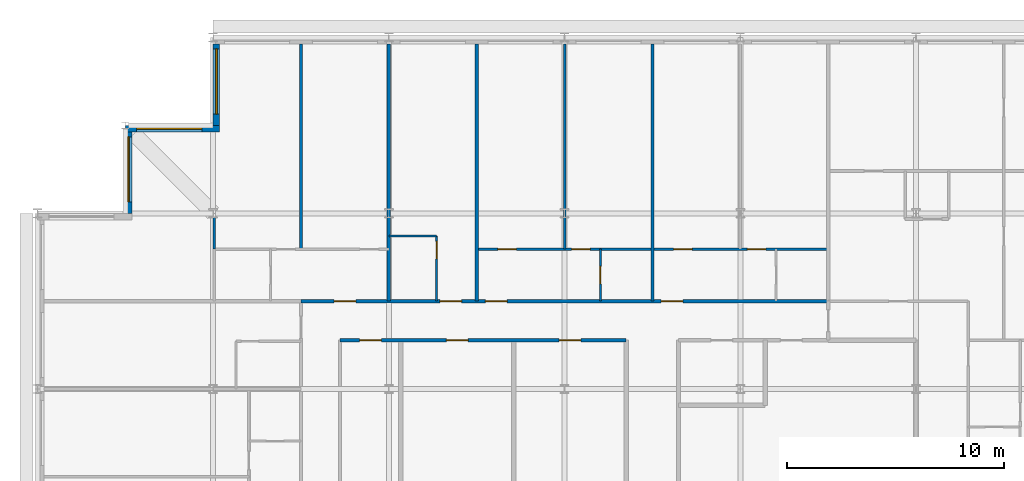
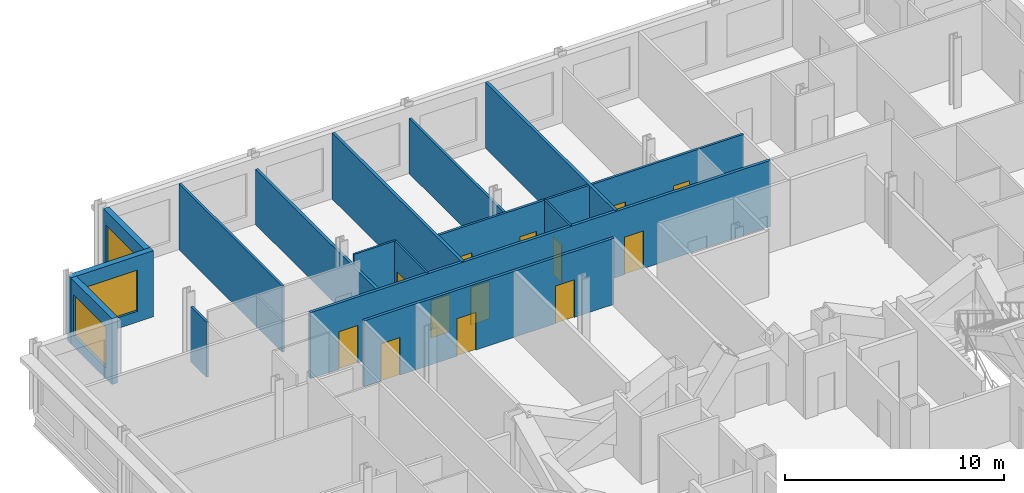
# One storey, part 12 of 15: 15 walls, 13 doors, 3 windows, 16 openings.
"""IFC4 building model written with IfcOpenShell, lengths in metres."""

from ifc_helpers import new_model, si_unit, direction, frame, frame_2d, origin, place, context, subcontext, project, spatial, rectangle, extrude, material, layer, layer_set, type_object, element, fill, save


model = new_model("IFC4")

# Units and contexts
model_context = context("Model", 3, precision=1e-05, world=origin(), true_north=direction((0.0, 1.0)))
body_context = subcontext(model_context, "Body", "Model", "MODEL_VIEW")
ifc_project = project(units=[si_unit("LENGTHUNIT", "METRE"), si_unit("AREAUNIT", "SQUARE_METRE"), si_unit("VOLUMEUNIT", "CUBIC_METRE"), si_unit("PLANEANGLEUNIT", "RADIAN"), si_unit("MASSUNIT", "GRAM", prefix="KILO")], contexts=[model_context])

# Site, building, storey
site_placement = place(None, origin())
site = spatial("IfcSite", under=ifc_project, at=site_placement, CompositionType="ELEMENT")
building_placement = place(site_placement, origin())
building = spatial("IfcBuilding", under=site, at=building_placement, Name="Kopane Lantern Tower", CompositionType="ELEMENT")
storey_placement = place(building_placement, frame((0.0, 0.0, 269.699951171875)))
storey = spatial("IfcBuildingStorey", under=building, at=storey_placement, Name="L69", CompositionType="ELEMENT", Elevation=269.699951171875)

# Wall, openings, doors
ifc_material_1 = material(Name="Gypsum board on steel studs", Category="steel")
ifc_layer_1 = layer(ifc_material_1, 0.1201171875)
ifc_layer_set_1 = layer_set([ifc_layer_1], Name="APARTMENT INTERNAL WALL 120")
wall_type_1 = type_object("IfcWallType", Name="APARTMENT INTERNAL WALL 120", PredefinedType="PARTITIONING", material=ifc_layer_set_1)
wall_1_placement = place(storey_placement, frame((20.25, 55.050048828125, 0.0), z_axis=(0.0, 0.0, 1.0), x_axis=(1.0, 0.0, 0.0)))
wall_1 = element("IfcWall", 1, at=wall_1_placement, inside=storey, type_object=wall_type_1, Name="Apartment Internal Wall 120 L69", PredefinedType="PARTITIONING", context=body_context, shape_type="SweptSolid", body=[
    extrude(rectangle(XDim=16.199951171875, YDim=0.1201171875, at=frame_2d((8.10009765625, 0.0))), origin(), (0.0, 0.0, 1.0), 3.68994140625),
])
opening_1_placement = place(wall_1_placement, frame((0.97509765625, 0.0, 0.0)))
opening_1 = element("IfcOpeningElement", 2, at=opening_1_placement, cuts=wall_1, Name="Opening L69-020", PredefinedType="OPENING", context=body_context, shape_type="SweptSolid", body=[
    extrude(rectangle(XDim=0.85009765625, YDim=2.10009765625, at=frame_2d((0.425048828125, 1.050048828125))), frame((0.0, 0.070068359375, 0.0), z_axis=(0.0, -1.0, 0.0), x_axis=(1.0, 0.0, 0.0)), (0.0, 0.0, 1.0), 0.14013671875),
])
opening_2_placement = place(wall_1_placement, frame((4.375, 0.0, 0.0)))
opening_2 = element("IfcOpeningElement", 3, at=opening_2_placement, cuts=wall_1, Name="Opening L69-021", PredefinedType="OPENING", context=body_context, shape_type="SweptSolid", body=[
    extrude(rectangle(XDim=0.85009765625, YDim=2.10009765625, at=frame_2d((0.425048828125, 1.050048828125))), frame((0.0, 0.070068359375, 0.0), z_axis=(0.0, -1.0, 0.0), x_axis=(1.0, 0.0, 0.0)), (0.0, 0.0, 1.0), 0.14013671875),
])
opening_3_placement = place(wall_1_placement, frame((9.074951171875, 0.0, 0.0)))
opening_3 = element("IfcOpeningElement", 4, at=opening_3_placement, cuts=wall_1, Name="Opening L69-024", PredefinedType="OPENING", context=body_context, shape_type="SweptSolid", body=[
    extrude(rectangle(XDim=0.85009765625, YDim=2.10009765625, at=frame_2d((0.425048828125, 1.050048828125))), frame((0.0, 0.070068359375, 0.0), z_axis=(0.0, -1.0, 0.0), x_axis=(1.0, 0.0, 0.0)), (0.0, 0.0, 1.0), 0.14013671875),
])
opening_4_placement = place(wall_1_placement, frame((12.47509765625, 0.0, 0.0)))
opening_4 = element("IfcOpeningElement", 5, at=opening_4_placement, cuts=wall_1, Name="Opening L69-025", PredefinedType="OPENING", context=body_context, shape_type="SweptSolid", body=[
    extrude(rectangle(XDim=0.85009765625, YDim=2.10009765625, at=frame_2d((0.425048828125, 1.050048828125))), frame((0.0, 0.070068359375, 0.0), z_axis=(0.0, -1.0, 0.0), x_axis=(1.0, 0.0, 0.0)), (0.0, 0.0, 1.0), 0.14013671875),
])
ifc_material_2 = material(Name="Timber door set", Category="wood")
door_type_1 = type_object("IfcDoorType", Name="DOOR D4 850x2100", OperationType="SINGLE_SWING_LEFT", PredefinedType="DOOR", material=ifc_material_2)
door_1_placement = place(opening_1_placement, origin())
door_1 = element("IfcDoor", 6, at=door_1_placement, inside=storey, type_object=door_type_1, Name="Door L69-020", OperationType="SINGLE_SWING_RIGHT", OverallHeight=2.10009765625, OverallWidth=0.85009765625, PredefinedType="DOOR", context=body_context, shape_type="SweptSolid", body=[
    extrude(rectangle(XDim=0.85009765625, YDim=2.10009765625, at=frame_2d((0.425048828125, 1.050048828125))), frame((0.0, 0.02490234375, 0.0), z_axis=(0.0, -1.0, 0.0), x_axis=(1.0, 0.0, 0.0)), (0.0, 0.0, 1.0), 0.050048828125),
])
fill(opening_1, door_1)
door_2_placement = place(opening_2_placement, origin())
door_2 = element("IfcDoor", 7, at=door_2_placement, inside=storey, type_object=door_type_1, Name="Door L69-021", OperationType="SINGLE_SWING_LEFT", OverallHeight=2.10009765625, OverallWidth=0.85009765625, PredefinedType="DOOR", context=body_context, shape_type="SweptSolid", body=[
    extrude(rectangle(XDim=0.85009765625, YDim=2.10009765625, at=frame_2d((0.425048828125, 1.050048828125))), frame((0.0, 0.02490234375, 0.0), z_axis=(0.0, -1.0, 0.0), x_axis=(1.0, 0.0, 0.0)), (0.0, 0.0, 1.0), 0.050048828125),
])
fill(opening_2, door_2)
door_3_placement = place(opening_3_placement, origin())
door_3 = element("IfcDoor", 8, at=door_3_placement, inside=storey, type_object=door_type_1, Name="Door L69-024", OperationType="SINGLE_SWING_RIGHT", OverallHeight=2.10009765625, OverallWidth=0.85009765625, PredefinedType="DOOR", context=body_context, shape_type="SweptSolid", body=[
    extrude(rectangle(XDim=0.85009765625, YDim=2.10009765625, at=frame_2d((0.425048828125, 1.050048828125))), frame((0.0, 0.02490234375, 0.0), z_axis=(0.0, -1.0, 0.0), x_axis=(1.0, 0.0, 0.0)), (0.0, 0.0, 1.0), 0.050048828125),
])
fill(opening_3, door_3)
door_4_placement = place(opening_4_placement, origin())
door_4 = element("IfcDoor", 9, at=door_4_placement, inside=storey, type_object=door_type_1, Name="Door L69-025", OperationType="SINGLE_SWING_LEFT", OverallHeight=2.10009765625, OverallWidth=0.85009765625, PredefinedType="DOOR", context=body_context, shape_type="SweptSolid", body=[
    extrude(rectangle(XDim=0.85009765625, YDim=2.10009765625, at=frame_2d((0.425048828125, 1.050048828125))), frame((0.0, 0.02490234375, 0.0), z_axis=(0.0, -1.0, 0.0), x_axis=(1.0, 0.0, 0.0)), (0.0, 0.0, 1.0), 0.050048828125),
])
fill(opening_4, door_4)

# Walls
wall_2_placement = place(storey_placement, frame((24.300048828125, 55.050048828125, 0.0), z_axis=(0.0, 0.0, 1.0), x_axis=(0.0, 1.0, 0.0)))
element("IfcWall", 10, at=wall_2_placement, inside=storey, type_object=wall_type_1, Name="Apartment Internal Wall 120 L69", PredefinedType="PARTITIONING", context=body_context, shape_type="SweptSolid", body=[
    extrude(rectangle(XDim=9.449951171875, YDim=0.1201171875, at=frame_2d((4.72509765625, 0.0))), origin(), (0.0, 0.0, 1.0), 3.077880859375),
])
wall_3_placement = place(storey_placement, frame((12.14990234375, 55.050048828125, 0.0), z_axis=(0.0, 0.0, 1.0), x_axis=(0.0, 1.0, 0.0)))
element("IfcWall", 11, at=wall_3_placement, inside=storey, type_object=wall_type_1, Name="Apartment Internal Wall 120 L69", PredefinedType="PARTITIONING", context=body_context, shape_type="SweptSolid", body=[
    extrude(rectangle(XDim=9.449951171875, YDim=0.1201171875, at=frame_2d((4.72509765625, 0.0))), origin(), (0.0, 0.0, 1.0), 3.68994140625),
])
wall_4_placement = place(storey_placement, frame((8.14990234375, 55.050048828125, 0.0), z_axis=(0.0, 0.0, 1.0), x_axis=(0.0, 1.0, 0.0)))
element("IfcWall", 12, at=wall_4_placement, inside=storey, type_object=wall_type_1, Name="Apartment Internal Wall 120 L69", PredefinedType="PARTITIONING", context=body_context, shape_type="SweptSolid", body=[
    extrude(rectangle(XDim=1.447021484375, YDim=0.1201171875, at=frame_2d((0.7236328125, 0.0))), origin(), (0.0, 0.0, 1.0), 3.077880859375),
])
ifc_material_3 = material(Name="Moisture-resistant board on steel studs", Category="steel")
ifc_layer_2 = layer(ifc_material_3, 0.10009765625)
ifc_layer_set_2 = layer_set([ifc_layer_2], Name="BATHROOM WALL 100")
wall_type_2 = type_object("IfcWallType", Name="BATHROOM WALL 100", PredefinedType="PARTITIONING", material=ifc_layer_set_2)
wall_5_placement = place(storey_placement, frame((16.199951171875, 55.64990234375, 0.0), z_axis=(0.0, 0.0, 1.0), x_axis=(1.0, 0.0, 0.0)))
element("IfcWall", 13, at=wall_5_placement, inside=storey, type_object=wall_type_2, Name="Bathroom Wall 100 L69", PredefinedType="PARTITIONING", context=body_context, shape_type="SweptSolid", body=[
    extrude(rectangle(XDim=2.199951171875, YDim=0.10009765625, at=frame_2d((1.10009765625, 0.0))), origin(), (0.0, 0.0, 1.0), 3.68994140625),
])

# Wall, opening, door
wall_6_placement = place(storey_placement, frame((18.39990234375, 52.64990234375, 0.0), z_axis=(0.0, 0.0, 1.0), x_axis=(0.0, 1.0, 0.0)))
wall_6 = element("IfcWall", 14, at=wall_6_placement, inside=storey, type_object=wall_type_2, Name="Bathroom Wall 100 L69", PredefinedType="PARTITIONING", context=body_context, shape_type="SweptSolid", body=[
    extrude(rectangle(XDim=3.0, YDim=0.10009765625, at=frame_2d((1.5, 0.0))), origin(), (0.0, 0.0, 1.0), 3.68994140625),
])
opening_5_placement = place(wall_6_placement, frame((1.949951171875, 0.0, 0.0)))
opening_5 = element("IfcOpeningElement", 15, at=opening_5_placement, cuts=wall_6, Name="Opening L69-016", PredefinedType="OPENING", context=body_context, shape_type="SweptSolid", body=[
    extrude(rectangle(XDim=0.800048828125, YDim=2.10009765625, at=frame_2d((0.39990234375, 1.050048828125))), frame((0.0, 0.06005859375, 0.0), z_axis=(0.0, -1.0, 0.0), x_axis=(1.0, 0.0, 0.0)), (0.0, 0.0, 1.0), 0.1201171875),
])
ifc_material_4 = material(Name="Timber door set", Category="wood")
door_type_2 = type_object("IfcDoorType", Name="DOOR D2 800x2100", OperationType="SINGLE_SWING_LEFT", PredefinedType="DOOR", material=ifc_material_4)
door_5_placement = place(opening_5_placement, origin())
door_5 = element("IfcDoor", 16, at=door_5_placement, inside=storey, type_object=door_type_2, Name="Door L69-016", OperationType="SINGLE_SWING_RIGHT", OverallHeight=2.10009765625, OverallWidth=0.800048828125, PredefinedType="DOOR", context=body_context, shape_type="SweptSolid", body=[
    extrude(rectangle(XDim=0.800048828125, YDim=2.10009765625, at=frame_2d((0.39990234375, 1.050048828125))), frame((0.0, 0.02490234375, 0.0), z_axis=(0.0, -1.0, 0.0), x_axis=(1.0, 0.0, 0.0)), (0.0, 0.0, 1.0), 0.050048828125),
])
fill(opening_5, door_5)

wall_7_placement = place(storey_placement, frame((25.949951171875, 52.64990234375, 0.0), z_axis=(0.0, 0.0, 1.0), x_axis=(0.0, 1.0, 0.0)))
wall_7 = element("IfcWall", 17, at=wall_7_placement, inside=storey, type_object=wall_type_2, Name="Bathroom Wall 100 L69", PredefinedType="PARTITIONING", context=body_context, shape_type="SweptSolid", body=[
    extrude(rectangle(XDim=2.400146484375, YDim=0.10009765625, at=frame_2d((1.2001953125, 0.0))), origin(), (0.0, 0.0, 1.0), 3.68994140625),
])
opening_6_placement = place(wall_7_placement, frame((0.800048828125, 0.0, 0.0)))
opening_6 = element("IfcOpeningElement", 18, at=opening_6_placement, cuts=wall_7, Name="Opening L69-018", PredefinedType="OPENING", context=body_context, shape_type="SweptSolid", body=[
    extrude(rectangle(XDim=0.800048828125, YDim=2.10009765625, at=frame_2d((0.39990234375, 1.050048828125))), frame((0.0, 0.06005859375, 0.0), z_axis=(0.0, -1.0, 0.0), x_axis=(1.0, 0.0, 0.0)), (0.0, 0.0, 1.0), 0.1201171875),
])
door_6_placement = place(opening_6_placement, origin())
door_6 = element("IfcDoor", 19, at=door_6_placement, inside=storey, type_object=door_type_2, Name="Door L69-018", OperationType="SINGLE_SWING_RIGHT", OverallHeight=2.10009765625, OverallWidth=0.800048828125, PredefinedType="DOOR", context=body_context, shape_type="SweptSolid", body=[
    extrude(rectangle(XDim=0.800048828125, YDim=2.10009765625, at=frame_2d((0.39990234375, 1.050048828125))), frame((0.0, 0.02490234375, 0.0), z_axis=(0.0, -1.0, 0.0), x_axis=(1.0, 0.0, 0.0)), (0.0, 0.0, 1.0), 0.050048828125),
])
fill(opening_6, door_6)

# Wall, openings, doors
ifc_material_5 = material(Name="Gypsum board on steel studs", Category="steel")
ifc_layer_3 = layer(ifc_material_5, 0.14990234375)
ifc_layer_set_3 = layer_set([ifc_layer_3], Name="CORRIDOR WALL 150 EI 60")
wall_type_3 = type_object("IfcWallType", Name="CORRIDOR WALL 150 EI 60", PredefinedType="PARTITIONING", material=ifc_layer_set_3)
wall_8_placement = place(storey_placement, frame((12.14990234375, 52.64990234375, 0.0), z_axis=(0.0, 0.0, 1.0), x_axis=(1.0, 0.0, 0.0)))
wall_8 = element("IfcWall", 20, at=wall_8_placement, inside=storey, type_object=wall_type_3, Name="Corridor Wall 150 Ei 60 L69", PredefinedType="PARTITIONING", context=body_context, shape_type="SweptSolid", body=[
    extrude(rectangle(XDim=24.300048828125, YDim=0.14990234375, at=frame_2d((12.14990234375, 0.0))), origin(), (0.0, 0.0, 1.0), 3.68994140625),
])
opening_7_placement = place(wall_8_placement, frame((6.39990234375, 0.0, 0.0)))
opening_7 = element("IfcOpeningElement", 21, at=opening_7_placement, cuts=wall_8, Name="Opening L69-017", PredefinedType="OPENING", context=body_context, shape_type="SweptSolid", body=[
    extrude(rectangle(XDim=1.0, YDim=2.10009765625, at=frame_2d((0.5, 1.050048828125))), frame((0.0, 0.0849609375, 0.0), z_axis=(0.0, -1.0, 0.0), x_axis=(1.0, 0.0, 0.0)), (0.0, 0.0, 1.0), 0.169921875),
])
opening_8_placement = place(wall_8_placement, frame((8.5, 0.0, 0.0)))
opening_8 = element("IfcOpeningElement", 22, at=opening_8_placement, cuts=wall_8, Name="Opening L69-019", PredefinedType="OPENING", context=body_context, shape_type="SweptSolid", body=[
    extrude(rectangle(XDim=1.0, YDim=2.10009765625, at=frame_2d((0.5, 1.050048828125))), frame((0.0, 0.0849609375, 0.0), z_axis=(0.0, -1.0, 0.0), x_axis=(1.0, 0.0, 0.0)), (0.0, 0.0, 1.0), 0.169921875),
])
opening_9_placement = place(wall_8_placement, frame((16.60009765625, 0.0, 0.0)))
opening_9 = element("IfcOpeningElement", 23, at=opening_9_placement, cuts=wall_8, Name="Opening L69-023", PredefinedType="OPENING", context=body_context, shape_type="SweptSolid", body=[
    extrude(rectangle(XDim=1.0, YDim=2.10009765625, at=frame_2d((0.5, 1.050048828125))), frame((0.0, 0.0849609375, 0.0), z_axis=(0.0, -1.0, 0.0), x_axis=(1.0, 0.0, 0.0)), (0.0, 0.0, 1.0), 0.169921875),
])
opening_10_placement = place(wall_8_placement, frame((1.52490234375, 0.0, 0.0)))
opening_10 = element("IfcOpeningElement", 24, at=opening_10_placement, cuts=wall_8, Name="Opening L69-041", PredefinedType="OPENING", context=body_context, shape_type="SweptSolid", body=[
    extrude(rectangle(XDim=1.0, YDim=2.10009765625, at=frame_2d((0.5, 1.050048828125))), frame((0.0, 0.0849609375, 0.0), z_axis=(0.0, -1.0, 0.0), x_axis=(1.0, 0.0, 0.0)), (0.0, 0.0, 1.0), 0.169921875),
])
ifc_material_6 = material(Name="Steel door set", Category="steel")
door_type_3 = type_object("IfcDoorType", Name="DOOR D3 1000x2100 FD30S", OperationType="SINGLE_SWING_LEFT", PredefinedType="DOOR", material=ifc_material_6)
door_7_placement = place(opening_7_placement, origin())
door_7 = element("IfcDoor", 25, at=door_7_placement, inside=storey, type_object=door_type_3, Name="Door L69-017", OperationType="SINGLE_SWING_LEFT", OverallHeight=2.10009765625, OverallWidth=1.0, PredefinedType="DOOR", context=body_context, shape_type="SweptSolid", body=[
    extrude(rectangle(XDim=1.0, YDim=2.10009765625, at=frame_2d((0.5, 1.050048828125))), frame((0.0, 0.02490234375, 0.0), z_axis=(0.0, -1.0, 0.0), x_axis=(1.0, 0.0, 0.0)), (0.0, 0.0, 1.0), 0.050048828125),
])
fill(opening_7, door_7)
door_8_placement = place(opening_8_placement, origin())
door_8 = element("IfcDoor", 26, at=door_8_placement, inside=storey, type_object=door_type_3, Name="Door L69-019", OperationType="SINGLE_SWING_LEFT", OverallHeight=2.10009765625, OverallWidth=1.0, PredefinedType="DOOR", context=body_context, shape_type="SweptSolid", body=[
    extrude(rectangle(XDim=1.0, YDim=2.10009765625, at=frame_2d((0.5, 1.050048828125))), frame((0.0, 0.02490234375, 0.0), z_axis=(0.0, -1.0, 0.0), x_axis=(1.0, 0.0, 0.0)), (0.0, 0.0, 1.0), 0.050048828125),
])
fill(opening_8, door_8)
door_9_placement = place(opening_9_placement, origin())
door_9 = element("IfcDoor", 27, at=door_9_placement, inside=storey, type_object=door_type_3, Name="Door L69-023", OperationType="SINGLE_SWING_LEFT", OverallHeight=2.10009765625, OverallWidth=1.0, PredefinedType="DOOR", context=body_context, shape_type="SweptSolid", body=[
    extrude(rectangle(XDim=1.0, YDim=2.10009765625, at=frame_2d((0.5, 1.050048828125))), frame((0.0, 0.02490234375, 0.0), z_axis=(0.0, -1.0, 0.0), x_axis=(1.0, 0.0, 0.0)), (0.0, 0.0, 1.0), 0.050048828125),
])
fill(opening_9, door_9)
door_10_placement = place(opening_10_placement, origin())
door_10 = element("IfcDoor", 28, at=door_10_placement, inside=storey, type_object=door_type_3, Name="Door L69-041", OperationType="SINGLE_SWING_RIGHT", OverallHeight=2.10009765625, OverallWidth=1.0, PredefinedType="DOOR", context=body_context, shape_type="SweptSolid", body=[
    extrude(rectangle(XDim=1.0, YDim=2.10009765625, at=frame_2d((0.5, 1.050048828125))), frame((0.0, 0.02490234375, 0.0), z_axis=(0.0, -1.0, 0.0), x_axis=(1.0, 0.0, 0.0)), (0.0, 0.0, 1.0), 0.050048828125),
])
fill(opening_10, door_10)

wall_9_placement = place(storey_placement, frame((13.949951171875, 50.85009765625, 0.0), z_axis=(0.0, 0.0, 1.0), x_axis=(1.0, 0.0, 0.0)))
wall_9 = element("IfcWall", 29, at=wall_9_placement, inside=storey, type_object=wall_type_3, Name="Corridor Wall 150 Ei 60 L69", PredefinedType="PARTITIONING", context=body_context, shape_type="SweptSolid", body=[
    extrude(rectangle(XDim=13.18994140625, YDim=0.14990234375, at=frame_2d((6.594970703125, 0.0))), origin(), (0.0, 0.0, 1.0), 3.68994140625),
])
opening_11_placement = place(wall_9_placement, frame((0.90087890625, 0.0, 0.0)))
opening_11 = element("IfcOpeningElement", 30, at=opening_11_placement, cuts=wall_9, Name="Opening L69-003", PredefinedType="OPENING", context=body_context, shape_type="SweptSolid", body=[
    extrude(rectangle(XDim=1.0, YDim=2.10009765625, at=frame_2d((0.5, 1.050048828125))), frame((0.0, 0.0849609375, 0.0), z_axis=(0.0, -1.0, 0.0), x_axis=(1.0, 0.0, 0.0)), (0.0, 0.0, 1.0), 0.169921875),
])
opening_12_placement = place(wall_9_placement, frame((4.9013671875, 0.0, 0.0)))
opening_12 = element("IfcOpeningElement", 31, at=opening_12_placement, cuts=wall_9, Name="Opening L69-004", PredefinedType="OPENING", context=body_context, shape_type="SweptSolid", body=[
    extrude(rectangle(XDim=1.0, YDim=2.10009765625, at=frame_2d((0.5, 1.050048828125))), frame((0.0, 0.0849609375, 0.0), z_axis=(0.0, -1.0, 0.0), x_axis=(1.0, 0.0, 0.0)), (0.0, 0.0, 1.0), 0.169921875),
])
opening_13_placement = place(wall_9_placement, frame((10.1005859375, 0.0, 0.0)))
opening_13 = element("IfcOpeningElement", 32, at=opening_13_placement, cuts=wall_9, Name="Opening L69-005", PredefinedType="OPENING", context=body_context, shape_type="SweptSolid", body=[
    extrude(rectangle(XDim=1.0, YDim=2.10009765625, at=frame_2d((0.5, 1.050048828125))), frame((0.0, 0.0849609375, 0.0), z_axis=(0.0, -1.0, 0.0), x_axis=(1.0, 0.0, 0.0)), (0.0, 0.0, 1.0), 0.169921875),
])
ifc_material_7 = material(Name="Steel door set", Category="steel")
door_type_4 = type_object("IfcDoorType", Name="DOOR D5 1000x2100 FD60", OperationType="SINGLE_SWING_LEFT", PredefinedType="DOOR", material=ifc_material_7)
door_11_placement = place(opening_11_placement, origin())
door_11 = element("IfcDoor", 33, at=door_11_placement, inside=storey, type_object=door_type_4, Name="Door L69-003", OperationType="SINGLE_SWING_RIGHT", OverallHeight=2.10009765625, OverallWidth=1.0, PredefinedType="DOOR", context=body_context, shape_type="SweptSolid", body=[
    extrude(rectangle(XDim=1.0, YDim=2.10009765625, at=frame_2d((0.5, 1.050048828125))), frame((0.0, 0.02490234375, 0.0), z_axis=(0.0, -1.0, 0.0), x_axis=(1.0, 0.0, 0.0)), (0.0, 0.0, 1.0), 0.050048828125),
])
fill(opening_11, door_11)
door_12_placement = place(opening_12_placement, origin())
door_12 = element("IfcDoor", 34, at=door_12_placement, inside=storey, type_object=door_type_4, Name="Door L69-004", OperationType="SINGLE_SWING_LEFT", OverallHeight=2.10009765625, OverallWidth=1.0, PredefinedType="DOOR", context=body_context, shape_type="SweptSolid", body=[
    extrude(rectangle(XDim=1.0, YDim=2.10009765625, at=frame_2d((0.5, 1.050048828125))), frame((0.0, 0.02490234375, 0.0), z_axis=(0.0, -1.0, 0.0), x_axis=(1.0, 0.0, 0.0)), (0.0, 0.0, 1.0), 0.050048828125),
])
fill(opening_12, door_12)
door_13_placement = place(opening_13_placement, origin())
door_13 = element("IfcDoor", 35, at=door_13_placement, inside=storey, type_object=door_type_4, Name="Door L69-005", OperationType="SINGLE_SWING_RIGHT", OverallHeight=2.10009765625, OverallWidth=1.0, PredefinedType="DOOR", context=body_context, shape_type="SweptSolid", body=[
    extrude(rectangle(XDim=1.0, YDim=2.10009765625, at=frame_2d((0.5, 1.050048828125))), frame((0.0, 0.02490234375, 0.0), z_axis=(0.0, -1.0, 0.0), x_axis=(1.0, 0.0, 0.0)), (0.0, 0.0, 1.0), 0.050048828125),
])
fill(opening_13, door_13)

# Walls
ifc_material_8 = material(Name="Gypsum board on steel studs", Category="steel")
ifc_layer_4 = layer(ifc_material_8, 0.14990234375)
ifc_layer_set_4 = layer_set([ifc_layer_4], Name="DEMISING WALL 150 EI 60")
wall_type_4 = type_object("IfcWallType", Name="DEMISING WALL 150 EI 60", PredefinedType="PARTITIONING", material=ifc_layer_set_4)
for number, where, z_axis, x_axis, name in (
    (36, (20.25, 52.64990234375, 0.0), (0.0, 0.0, 1.0), (0.0, 1.0, 0.0), "Demising Wall 150 Ei 60 L69"),
    (37, (28.35009765625, 52.64990234375, 0.0), (0.0, 0.0, 1.0), (0.0, 1.0, 0.0), "Demising Wall 150 Ei 60 L69"),
):
    element("IfcWall", number, at=place(storey_placement, frame(where, z_axis=z_axis, x_axis=x_axis)), inside=storey, type_object=wall_type_4, Name=name, PredefinedType="PARTITIONING", context=body_context, shape_type="SweptSolid", body=[
        extrude(rectangle(XDim=11.85009765625, YDim=0.14990234375, at=frame_2d((5.925048828125, 0.0))), origin(), (0.0, 0.0, 1.0), 3.68994140625),
    ])
wall_10_placement = place(storey_placement, frame((16.199951171875, 52.64990234375, 0.0), z_axis=(0.0, 0.0, 1.0), x_axis=(0.0, 1.0, 0.0)))
element("IfcWall", 38, at=wall_10_placement, inside=storey, type_object=wall_type_4, Name="Demising Wall 150 Ei 60 L69", PredefinedType="PARTITIONING", context=body_context, shape_type="SweptSolid", body=[
    extrude(rectangle(XDim=11.85009765625, YDim=0.14990234375, at=frame_2d((5.925048828125, 0.0))), origin(), (0.0, 0.0, 1.0), 3.077880859375),
])

# Wall, opening, window
ifc_material_9 = material(Name="Terracotta rainscreen on light steel framing", Category="masonry")
ifc_layer_5 = layer(ifc_material_9, 0.300048828125)
ifc_layer_set_5 = layer_set([ifc_layer_5], Name="EXTERNAL WALL EW1 300 TERRACOTTA")
wall_type_5 = type_object("IfcWallType", Name="EXTERNAL WALL EW1 300 TERRACOTTA", PredefinedType="SOLIDWALL", material=ifc_layer_set_5)
wall_11_placement = place(storey_placement, frame((8.25, 64.5, 0.0), z_axis=(0.0, 0.0, 1.0), x_axis=(0.0, -1.0, 0.0)))
wall_11 = element("IfcWall", 39, at=wall_11_placement, inside=storey, type_object=wall_type_5, Name="External wall W L69", PredefinedType="SOLIDWALL", context=body_context, shape_type="SweptSolid", body=[
    extrude(rectangle(XDim=3.75, YDim=0.300048828125, at=frame_2d((1.875, 0.0))), origin(), (0.0, 0.0, 1.0), 3.68994140625),
])
opening_14_placement = place(wall_11_placement, frame((0.22509765625, 0.0, 0.60009765625)))
opening_14 = element("IfcOpeningElement", 40, at=opening_14_placement, cuts=wall_11, Name="Opening WR300230", PredefinedType="OPENING", context=body_context, shape_type="SweptSolid", body=[
    extrude(rectangle(XDim=3.0, YDim=2.300048828125, at=frame_2d((1.5, 1.14990234375))), frame((0.0, 0.159912109375, 0.0), z_axis=(0.0, -1.0, 0.0), x_axis=(1.0, 0.0, 0.0)), (0.0, 0.0, 1.0), 0.320068359375),
])
ifc_material_10 = material(Name="Aluminium and clear glass", Category="aluminium")
window_type = type_object("IfcWindowType", Name="RIBBON WINDOW WR300230 3000x2300", PartitioningType="SINGLE_PANEL", PredefinedType="WINDOW", material=ifc_material_10)
window_1_placement = place(opening_14_placement, origin())
window_1 = element("IfcWindow", 41, at=window_1_placement, inside=storey, type_object=window_type, Name="Window W L69", OverallHeight=2.300048828125, OverallWidth=3.0, PartitioningType="SINGLE_PANEL", PredefinedType="WINDOW", context=body_context, shape_type="SweptSolid", body=[
    extrude(rectangle(XDim=3.0, YDim=2.300048828125, at=frame_2d((1.5, 1.14990234375))), frame((0.0, 0.030029296875, 0.0), z_axis=(0.0, -1.0, 0.0), x_axis=(1.0, 0.0, 0.0)), (0.0, 0.0, 1.0), 0.06005859375),
])
fill(opening_14, window_1)

wall_12_placement = place(storey_placement, frame((8.39990234375, 60.60009765625, 0.0), z_axis=(0.0, 0.0, 1.0), x_axis=(-1.0, 0.0, 0.0)))
wall_12 = element("IfcWall", 42, at=wall_12_placement, inside=storey, type_object=wall_type_5, Name="External wall N L69", PredefinedType="SOLIDWALL", context=body_context, shape_type="SweptSolid", body=[
    extrude(rectangle(XDim=4.349853515625, YDim=0.300048828125, at=frame_2d((2.1748046875, 0.0))), origin(), (0.0, 0.0, 1.0), 3.68994140625),
])
opening_15_placement = place(wall_12_placement, frame((0.824951171875, 0.0, 0.60009765625)))
opening_15 = element("IfcOpeningElement", 43, at=opening_15_placement, cuts=wall_12, Name="Opening WR300230", PredefinedType="OPENING", context=body_context, shape_type="SweptSolid", body=[
    extrude(rectangle(XDim=3.0, YDim=2.300048828125, at=frame_2d((1.5, 1.14990234375))), frame((0.0, 0.159912109375, 0.0), z_axis=(0.0, -1.0, 0.0), x_axis=(1.0, 0.0, 0.0)), (0.0, 0.0, 1.0), 0.320068359375),
])
window_2_placement = place(opening_15_placement, origin())
window_2 = element("IfcWindow", 44, at=window_2_placement, inside=storey, type_object=window_type, Name="Window N L69", OverallHeight=2.300048828125, OverallWidth=3.0, PartitioningType="SINGLE_PANEL", PredefinedType="WINDOW", context=body_context, shape_type="SweptSolid", body=[
    extrude(rectangle(XDim=3.0, YDim=2.300048828125, at=frame_2d((1.5, 1.14990234375))), frame((0.0, 0.030029296875, 0.0), z_axis=(0.0, -1.0, 0.0), x_axis=(1.0, 0.0, 0.0)), (0.0, 0.0, 1.0), 0.06005859375),
])
fill(opening_15, window_2)

wall_13_placement = place(storey_placement, frame((4.199951171875, 60.449951171875, 0.0), z_axis=(0.0, 0.0, 1.0), x_axis=(0.0, -1.0, 0.0)))
wall_13 = element("IfcWall", 45, at=wall_13_placement, inside=storey, type_object=wall_type_5, Name="External wall W L69", PredefinedType="SOLIDWALL", context=body_context, shape_type="SweptSolid", body=[
    extrude(rectangle(XDim=3.75, YDim=0.300048828125, at=frame_2d((1.875, 0.0))), origin(), (0.0, 0.0, 1.0), 3.68994140625),
])
opening_16_placement = place(wall_13_placement, frame((0.22509765625, 0.0, 0.60009765625)))
opening_16 = element("IfcOpeningElement", 46, at=opening_16_placement, cuts=wall_13, Name="Opening WR300230", PredefinedType="OPENING", context=body_context, shape_type="SweptSolid", body=[
    extrude(rectangle(XDim=3.0, YDim=2.300048828125, at=frame_2d((1.5, 1.14990234375))), frame((0.0, 0.159912109375, 0.0), z_axis=(0.0, -1.0, 0.0), x_axis=(1.0, 0.0, 0.0)), (0.0, 0.0, 1.0), 0.320068359375),
])
window_3_placement = place(opening_16_placement, origin())
window_3 = element("IfcWindow", 47, at=window_3_placement, inside=storey, type_object=window_type, Name="Window W L69", OverallHeight=2.300048828125, OverallWidth=3.0, PartitioningType="SINGLE_PANEL", PredefinedType="WINDOW", context=body_context, shape_type="SweptSolid", body=[
    extrude(rectangle(XDim=3.0, YDim=2.300048828125, at=frame_2d((1.5, 1.14990234375))), frame((0.0, 0.030029296875, 0.0), z_axis=(0.0, -1.0, 0.0), x_axis=(1.0, 0.0, 0.0)), (0.0, 0.0, 1.0), 0.06005859375),
])
fill(opening_16, window_3)

save(model, "model.ifc")
